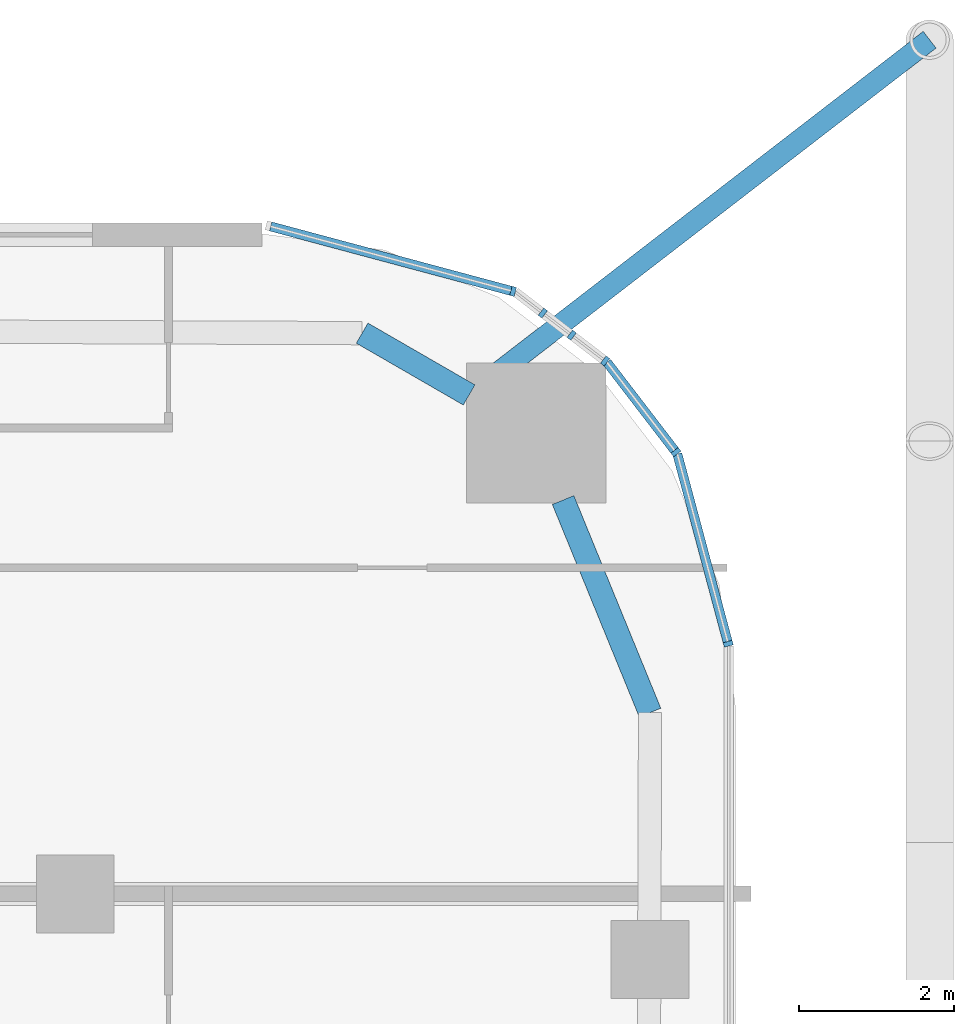
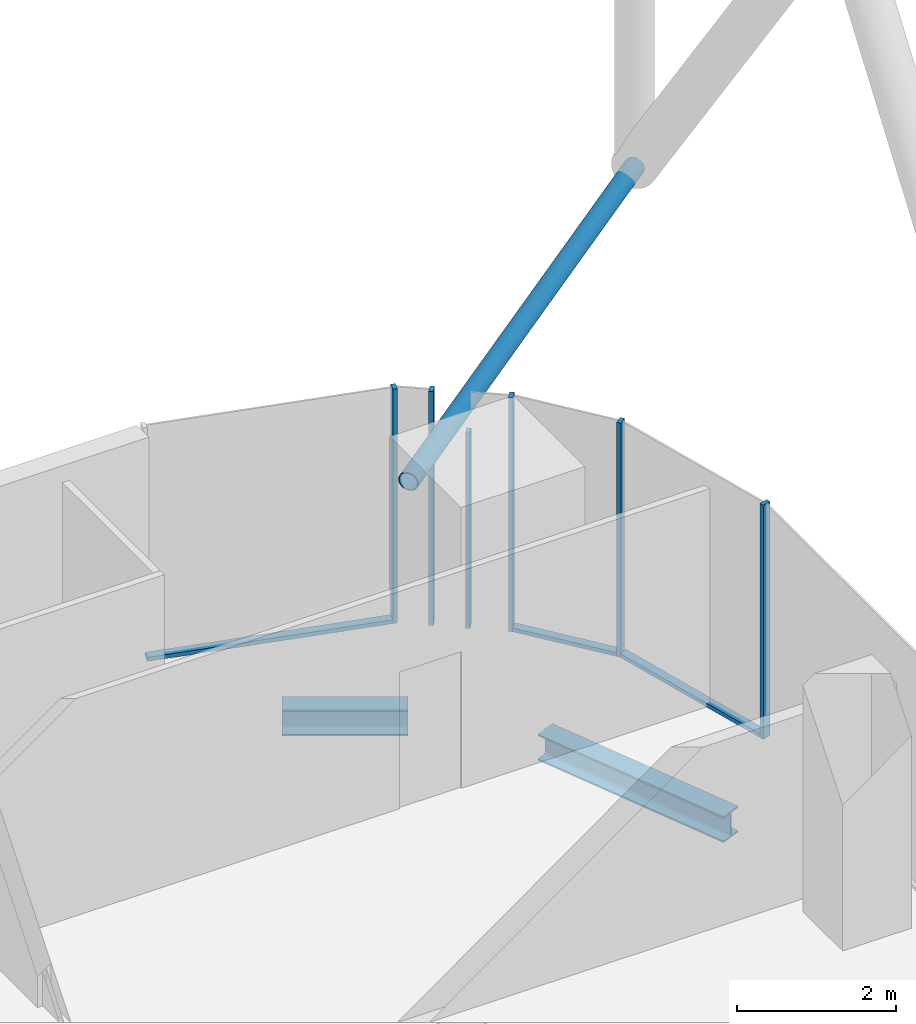
# One storey, part 14 of 35: 10 members, 2 beams, 6 elements without a shape of their own.
"""IFC4 building model written with IfcOpenShell, lengths in metres."""

from ifc_helpers import new_model, si_unit, direction, frame, origin, origin_2d, place, context, subcontext, project, spatial, rectangle, hollow_circle, i_section, extrude, material, layer, layer_set, material_profile, profile_set, type_object, element, aggregate, save


model = new_model("IFC4")

# Units and contexts
model_context = context("Model", 3, precision=1e-05, world=origin(), true_north=direction((0.0, 1.0)))
body_context = subcontext(model_context, "Body", "Model", "MODEL_VIEW")
ifc_project = project(units=[si_unit("LENGTHUNIT", "METRE"), si_unit("AREAUNIT", "SQUARE_METRE"), si_unit("VOLUMEUNIT", "CUBIC_METRE"), si_unit("PLANEANGLEUNIT", "RADIAN"), si_unit("MASSUNIT", "GRAM", prefix="KILO")], contexts=[model_context])

# Site, building, storey
site_placement = place(None, origin())
site = spatial("IfcSite", under=ifc_project, at=site_placement, CompositionType="ELEMENT")
building_placement = place(site_placement, origin())
building = spatial("IfcBuilding", under=site, at=building_placement, Name="Marenta Gate Hotel Tower", CompositionType="ELEMENT")
storey_placement = place(building_placement, frame((0.0, 0.0, 61.699951171875)))
storey = spatial("IfcBuildingStorey", under=building, at=storey_placement, Name="L13", CompositionType="ELEMENT", Elevation=61.699951171875)

# Beams
ifc_material_1 = material(Name="Steel S355", Category="steel")
ifc_material_profile_1 = material_profile(ifc_material_1, i_section(OverallWidth=0.300048828125, OverallDepth=0.39990234375, WebThickness=0.013427734375, FlangeThickness=0.02392578125, FilletRadius=0.027099609375, at=origin_2d()), Name="HEB 400")
ifc_profile_set_1 = profile_set([ifc_material_profile_1], Name="Steel S355")
beam_type = type_object("IfcBeamType", Name="Edge beam HEB 400", PredefinedType="SPANDREL", material=ifc_profile_set_1)
beam_1_placement = place(storey_placement, frame((24.69189453125, 32.42138671875, -0.4599609375), z_axis=(0.865968422476, -0.500098681536, 0.0), x_axis=(0.500098681536, 0.865968422476, 0.0)))
element("IfcBeam", 1, at=beam_1_placement, inside=storey, type_object=beam_type, Name="L13-EB-20", PredefinedType="SPANDREL", context=body_context, shape_type="SweptSolid", body=[
    extrude(i_section(OverallWidth=0.300048828125, OverallDepth=0.39990234375, WebThickness=0.013427734375, FlangeThickness=0.02392578125, FilletRadius=0.027099609375, at=origin_2d()), origin(), (0.0, 0.0, 1.0), 1.591552734375),
])
beam_2_placement = place(storey_placement, frame((27.280029296875, 30.2724609375, -0.4599609375), z_axis=(0.378565359962, -0.925574561144, 0.0), x_axis=(0.925574561144, 0.378565359962, 0.0)))
element("IfcBeam", 2, at=beam_2_placement, inside=storey, type_object=beam_type, Name="L13-EB-21", PredefinedType="SPANDREL", context=body_context, shape_type="SweptSolid", body=[
    extrude(i_section(OverallWidth=0.300048828125, OverallDepth=0.39990234375, WebThickness=0.013427734375, FlangeThickness=0.02392578125, FilletRadius=0.027099609375, at=origin_2d()), origin(), (0.0, 0.0, 1.0), 2.958251953125),
])

# Member
ifc_material_2 = material(Name="Steel S355J2W", Category="steel")
ifc_material_profile_2 = material_profile(ifc_material_2, hollow_circle(Radius=0.136474609375, WallThickness=0.012451171875, at=origin_2d()), Name="CHS 273x12.5")
ifc_profile_set_2 = profile_set([ifc_material_profile_2], Name="Steel S355J2W")
member_type_1 = type_object("IfcMemberType", Name="Floor tie CHS 273x12.5", PredefinedType="STRUT", material=ifc_profile_set_2)
member_1_placement = place(storey_placement, frame((32.0, 36.199951171875, 3.14013671875), z_axis=(-0.791777746729, -0.610809299032, 0.0), x_axis=(0.610809299032, -0.791777746729, 0.0)))
element("IfcMember", 3, at=member_1_placement, inside=storey, type_object=member_type_1, Name="L13-DR-7", PredefinedType="STRUT", context=body_context, shape_type="SweptSolid", body=[
    extrude(hollow_circle(Radius=0.136474609375, WallThickness=0.012451171875, at=origin_2d()), origin(), (0.0, 0.0, 1.0), 7.48193359375),
])

# Curtain wall, member
ifc_material_3 = material(Name="Tinted insulated glass in bronze anodised frame", Category="glass")
ifc_layer = layer(ifc_material_3, 0.1201171875)
ifc_layer_set = layer_set([ifc_layer], Name="Tinted insulated glass in bronze anodised frame")
curtain_wall_type = type_object("IfcCurtainWallType", Name="Tower unitised curtain wall CW1", PredefinedType="NOTDEFINED", material=ifc_layer_set)
curtain_wall_1_placement = place(storey_placement, origin())
curtain_wall_1 = element("IfcCurtainWall", 4, at=curtain_wall_1_placement, inside=storey, type_object=curtain_wall_type, Name="CW1 run G19", PredefinedType="NOTDEFINED")
ifc_material_4 = material(Name="Bronze anodised aluminium", Category="aluminium")
ifc_material_profile_3 = material_profile(ifc_material_4, rectangle(XDim=0.1201171875, YDim=0.06005859375, at=origin_2d()), Name="Mullion CW1 60x120 bronze anodised aluminium")
ifc_profile_set_3 = profile_set([ifc_material_profile_3], Name="Bronze anodised aluminium")
member_type_2 = type_object("IfcMemberType", Name="Mullion CW1 60x120 bronze anodised aluminium", PredefinedType="MULLION", material=ifc_profile_set_3)
member_2_placement = place(storey_placement, frame((29.40625, 28.4208984375, 0.0), z_axis=(0.0, 0.0, 1.0), x_axis=(-0.965925039579, -0.258821981125, 0.0)))
member_2 = element("IfcMember", 5, at=member_2_placement, type_object=member_type_2, Name="CW1 mullion 1", PredefinedType="MULLION", context=body_context, shape_type="SweptSolid", body=[
    extrude(rectangle(XDim=0.1201171875, YDim=0.06005859375, at=origin_2d()), origin(), (0.0, 0.0, 1.0), 3.60009765625),
])

curtain_wall_2_placement = place(storey_placement, origin())
curtain_wall_2 = element("IfcCurtainWall", 6, at=curtain_wall_2_placement, inside=storey, type_object=curtain_wall_type, Name="CW1 run G20", PredefinedType="NOTDEFINED")
member_3_placement = place(storey_placement, frame((28.733154296875, 30.888916015625, 0.0), z_axis=(0.0, 0.0, 1.0), x_axis=(-0.79333801153, -0.608781405318, 0.0)))
member_3 = element("IfcMember", 7, at=member_3_placement, type_object=member_type_2, Name="CW1 mullion 1", PredefinedType="MULLION", context=body_context, shape_type="SweptSolid", body=[
    extrude(rectangle(XDim=0.1201171875, YDim=0.06005859375, at=origin_2d()), origin(), (0.0, 0.0, 1.0), 3.60009765625),
])

curtain_wall_3_placement = place(storey_placement, origin())
curtain_wall_3 = element("IfcCurtainWall", 8, at=curtain_wall_3_placement, inside=storey, type_object=curtain_wall_type, Name="CW1 run G21", PredefinedType="NOTDEFINED")
member_4_placement = place(storey_placement, frame((27.82177734375, 32.063720703125, 0.0), z_axis=(0.0, 0.0, 1.0), x_axis=(-0.608794550401, -0.793327924254, 0.0)))
member_4 = element("IfcMember", 9, at=member_4_placement, type_object=member_type_2, Name="CW1 mullion 1", PredefinedType="MULLION", context=body_context, shape_type="SweptSolid", body=[
    extrude(rectangle(XDim=0.1201171875, YDim=0.06005859375, at=origin_2d()), origin(), (0.0, 0.0, 1.0), 3.60009765625),
])
aggregate(curtain_wall_3, [member_4])

curtain_wall_4_placement = place(storey_placement, origin())
curtain_wall_4 = element("IfcCurtainWall", 10, at=curtain_wall_4_placement, inside=storey, type_object=curtain_wall_type, Name="CW1 run G22", PredefinedType="NOTDEFINED")
member_5_placement = place(storey_placement, frame((27.390380859375, 32.394775390625, 0.0), z_axis=(0.0, 0.0, 1.0), x_axis=(-0.608771939349, -0.793345275313, 0.0)))
member_5 = element("IfcMember", 11, at=member_5_placement, type_object=member_type_2, Name="CW1 mullion 1", PredefinedType="MULLION", context=body_context, shape_type="SweptSolid", body=[
    extrude(rectangle(XDim=0.1201171875, YDim=0.06005859375, at=origin_2d()), origin(), (0.0, 0.0, 1.0), 3.00048828125),
])
aggregate(curtain_wall_4, [member_5])

curtain_wall_5_placement = place(storey_placement, origin())
curtain_wall_5 = element("IfcCurtainWall", 12, at=curtain_wall_5_placement, inside=storey, type_object=curtain_wall_type, Name="CW1 run G23", PredefinedType="NOTDEFINED")
member_6_placement = place(storey_placement, frame((27.018798828125, 32.679931640625, 0.0), z_axis=(0.0, 0.0, 1.0), x_axis=(-0.608775711402, -0.793342380821, 0.0)))
member_6 = element("IfcMember", 13, at=member_6_placement, type_object=member_type_2, Name="CW1 mullion 1", PredefinedType="MULLION", context=body_context, shape_type="SweptSolid", body=[
    extrude(rectangle(XDim=0.1201171875, YDim=0.06005859375, at=origin_2d()), origin(), (0.0, 0.0, 1.0), 3.60009765625),
])
aggregate(curtain_wall_5, [member_6])

curtain_wall_6_placement = place(storey_placement, origin())
curtain_wall_6 = element("IfcCurtainWall", 14, at=curtain_wall_6_placement, inside=storey, type_object=curtain_wall_type, Name="CW1 run G24", PredefinedType="NOTDEFINED")
member_7_placement = place(storey_placement, frame((26.63623046875, 32.958984375, 0.0), z_axis=(0.0, 0.0, 1.0), x_axis=(-0.258807310344, -0.965928970532, 0.0)))
member_7 = element("IfcMember", 15, at=member_7_placement, type_object=member_type_2, Name="CW1 mullion 1", PredefinedType="MULLION", context=body_context, shape_type="SweptSolid", body=[
    extrude(rectangle(XDim=0.1201171875, YDim=0.06005859375, at=origin_2d()), origin(), (0.0, 0.0, 1.0), 3.60009765625),
])

# Member
ifc_material_5 = material(Name="Bronze anodised aluminium", Category="aluminium")
ifc_material_profile_4 = material_profile(ifc_material_5, rectangle(XDim=0.1201171875, YDim=0.06005859375, at=origin_2d()), Name="Transom CW1 60x120 bronze anodised aluminium")
ifc_profile_set_4 = profile_set([ifc_material_profile_4], Name="Bronze anodised aluminium")
member_type_3 = type_object("IfcMemberType", Name="Transom CW1 60x120 bronze anodised aluminium", PredefinedType="USERDEFINED", material=ifc_profile_set_4)
member_8_placement = place(storey_placement, frame((29.3984375, 28.449951171875, 0.030029296875), z_axis=(-0.258859731326, 0.96591492353, 0.0), x_axis=(-0.96591492353, -0.258859731326, 0.0)))
member_8 = element("IfcMember", 16, at=member_8_placement, type_object=member_type_3, Name="CW1 transom 1.1", ObjectType="TRANSOM", PredefinedType="USERDEFINED", context=body_context, shape_type="SweptSolid", body=[
    extrude(rectangle(XDim=0.1201171875, YDim=0.06005859375, at=origin_2d()), origin(), (0.0, 0.0, 1.0), 2.500244140625),
])

aggregate(curtain_wall_1, [member_2, member_8])

member_9_placement = place(storey_placement, frame((28.71484375, 30.91259765625, 0.030029296875), z_axis=(-0.60882629199, 0.793303564963, 0.0), x_axis=(-0.793303564963, -0.60882629199, 0.0)))
member_9 = element("IfcMember", 17, at=member_9_placement, type_object=member_type_3, Name="CW1 transom 1.1", ObjectType="TRANSOM", PredefinedType="USERDEFINED", context=body_context, shape_type="SweptSolid", body=[
    extrude(rectangle(XDim=0.1201171875, YDim=0.06005859375, at=origin_2d()), origin(), (0.0, 0.0, 1.0), 1.427978515625),
])

aggregate(curtain_wall_2, [member_3, member_9])

member_10_placement = place(storey_placement, frame((26.607177734375, 32.966796875, 0.030029296875), z_axis=(-0.965933076693, 0.258791984709, 0.0), x_axis=(-0.258791984709, -0.965933076693, 0.0)))
member_10 = element("IfcMember", 18, at=member_10_placement, type_object=member_type_3, Name="CW1 transom 1.1", ObjectType="TRANSOM", PredefinedType="USERDEFINED", context=body_context, shape_type="SweptSolid", body=[
    extrude(rectangle(XDim=0.1201171875, YDim=0.06005859375, at=origin_2d()), origin(), (0.0, 0.0, 1.0), 3.201904296875),
])

aggregate(curtain_wall_6, [member_7, member_10])

save(model, "model.ifc")
